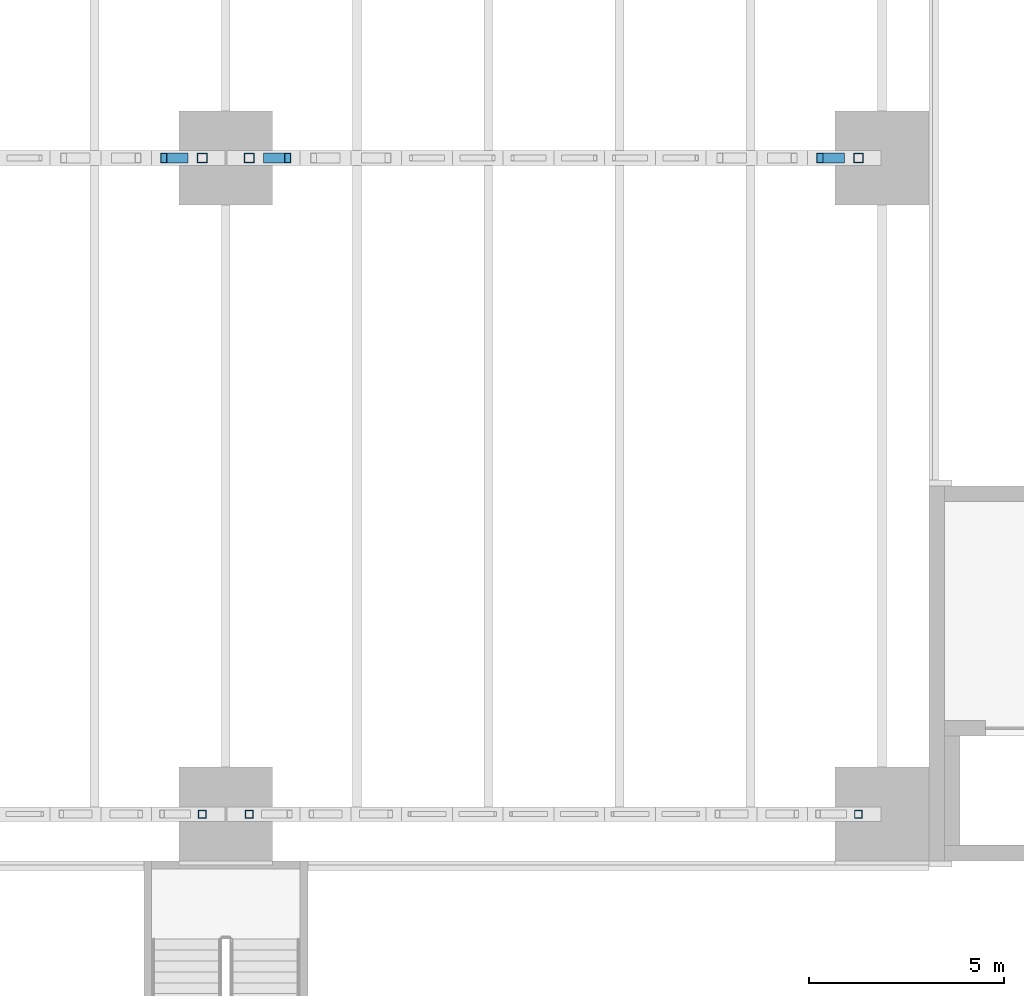
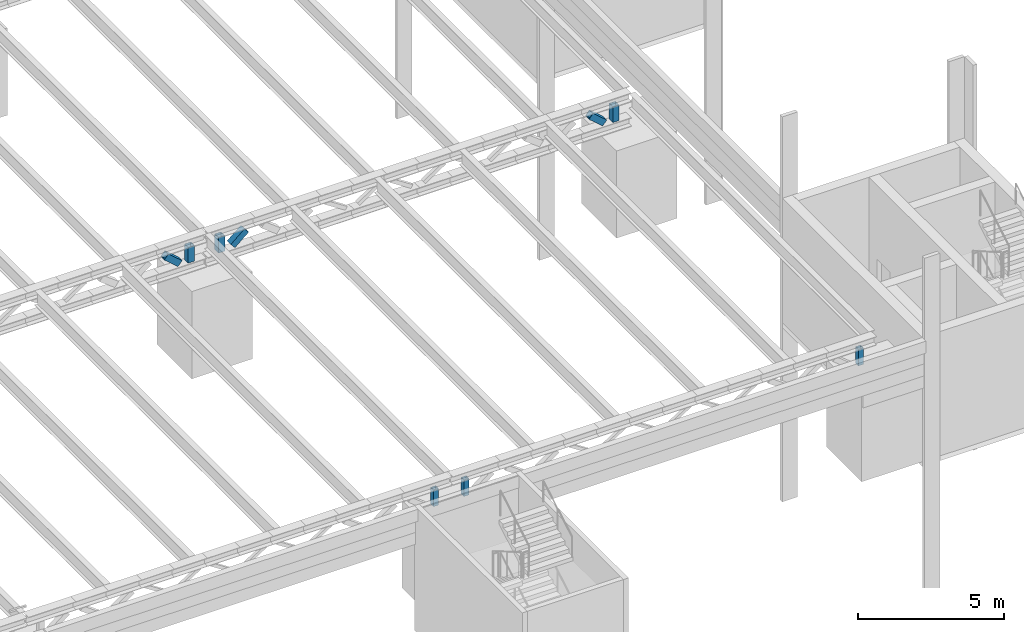
# One storey, part 47 of 93: 9 members.
"""IFC4 building model written with IfcOpenShell, lengths in metres."""

from ifc_helpers import new_model, si_unit, direction, frame, origin, origin_2d, place, context, subcontext, project, spatial, hollow_rectangle, extrude, material, material_profile, profile_set, type_object, element, save


model = new_model("IFC4")

# Units and contexts
model_context = context("Model", 3, precision=1e-05, world=origin(), true_north=direction((0.0, 1.0)))
body_context = subcontext(model_context, "Body", "Model", "MODEL_VIEW")
ifc_project = project(units=[si_unit("LENGTHUNIT", "METRE"), si_unit("AREAUNIT", "SQUARE_METRE"), si_unit("VOLUMEUNIT", "CUBIC_METRE"), si_unit("PLANEANGLEUNIT", "RADIAN"), si_unit("MASSUNIT", "GRAM", prefix="KILO")], contexts=[model_context])

# Site, building, storey
site_placement = place(None, origin())
site = spatial("IfcSite", under=ifc_project, at=site_placement, CompositionType="ELEMENT")
building_placement = place(site_placement, origin())
building = spatial("IfcBuilding", under=site, at=building_placement, Name="Verrick Yard Athletic Hall", CompositionType="ELEMENT")
storey_placement = place(building_placement, frame((0.0, 0.0, 8.800048828125)))
storey = spatial("IfcBuildingStorey", under=building, at=storey_placement, Name="L02", CompositionType="ELEMENT", Elevation=8.800048828125)

# Members
ifc_material = material(Name="Structural steel HSS Class C 350W (CSA G40.20/G40.21)", Category="steel")
ifc_material_profile_1 = material_profile(ifc_material, hollow_rectangle(XDim=0.203125, YDim=0.203125, WallThickness=0.0126953125, at=origin_2d()), Name="HSS203x203x13")
ifc_profile_set_1 = profile_set([ifc_material_profile_1], Name="Structural steel HSS Class C 350W (CSA G40.20/G40.21)")
member_type_1 = type_object("IfcMemberType", Name="STR Edge truss end post HSS203x203x13", PredefinedType="POST", material=ifc_profile_set_1)
for number, where, z_axis, x_axis, name in (
    (1, (140.199951171875, 19.199951171875, 4.005859375), (0.0, 0.0, 1.0), (1.0, 0.0, 0.0), "STR-TP-GA6-E"),
    (2, (141.39990234375, 19.199951171875, 4.005859375), (0.0, 0.0, 1.0), (1.0, 0.0, 0.0), "STR-TP-GA7-W"),
    (3, (157.0, 19.199951171875, 4.005859375), (0.0, 0.0, 1.0), (1.0, 0.0, 0.0), "STR-TP-GA7-E"),
):
    element("IfcMember", number, at=place(storey_placement, frame(where, z_axis=z_axis, x_axis=x_axis)), inside=storey, type_object=member_type_1, Name=name, PredefinedType="POST", context=body_context, shape_type="SweptSolid", body=[
        extrude(hollow_rectangle(XDim=0.203125, YDim=0.203125, WallThickness=0.0126953125, at=origin_2d()), origin(), (0.0, 0.0, 1.0), 0.68798828125),
    ])
ifc_material_profile_2 = material_profile(ifc_material, hollow_rectangle(XDim=0.25390625, YDim=0.25390625, WallThickness=0.0126953125, at=origin_2d()), Name="HSS254x254x13")
ifc_profile_set_2 = profile_set([ifc_material_profile_2], Name="Structural steel HSS Class C 350W (CSA G40.20/G40.21)")
member_type_2 = type_object("IfcMemberType", Name="STR Truss end post HSS254x254x13", PredefinedType="POST", material=ifc_profile_set_2)
for number, where, z_axis, x_axis, name in (
    (4, (140.199951171875, 36.0, 4.02197265625), (0.0, 0.0, 1.0), (1.0, 0.0, 0.0), "STR-TP-GB6-E"),
    (5, (141.39990234375, 36.0, 4.02197265625), (0.0, 0.0, 1.0), (1.0, 0.0, 0.0), "STR-TP-GB7-W"),
    (6, (157.0, 36.0, 4.02197265625), (0.0, 0.0, 1.0), (1.0, 0.0, 0.0), "STR-TP-GB7-E"),
):
    element("IfcMember", number, at=place(storey_placement, frame(where, z_axis=z_axis, x_axis=x_axis)), inside=storey, type_object=member_type_2, Name=name, PredefinedType="POST", context=body_context, shape_type="SweptSolid", body=[
        extrude(hollow_rectangle(XDim=0.25390625, YDim=0.25390625, WallThickness=0.0126953125, at=origin_2d()), origin(), (0.0, 0.0, 1.0), 0.656005859375),
    ])
ifc_material_profile_3 = material_profile(ifc_material, hollow_rectangle(XDim=0.25390625, YDim=0.25390625, WallThickness=0.0126953125, at=origin_2d()), Name="HSS254x254x13")
ifc_profile_set_3 = profile_set([ifc_material_profile_3], Name="Structural steel HSS Class C 350W (CSA G40.20/G40.21)")
member_type_3 = type_object("IfcMemberType", Name="STR Truss web HSS254x254x13", PredefinedType="BRACE", material=ifc_profile_set_3)
member_placement = place(storey_placement, frame((139.212646484375, 36.0, 4.58203125), z_axis=(0.760004219481, 0.0, -0.649918138207), x_axis=(0.0, 1.0, 0.0)))
element("IfcMember", 7, at=member_placement, inside=storey, type_object=member_type_3, Name="STR-TW-GB6-12", PredefinedType="BRACE", context=body_context, shape_type="SweptSolid", body=[
    extrude(hollow_rectangle(XDim=0.25390625, YDim=0.25390625, WallThickness=0.0126953125, at=origin_2d()), origin(), (0.0, 0.0, 1.0), 0.714111328125),
])
for number, where, z_axis, x_axis, name in (
    (8, (141.844482421875, 36.0, 4.117919921875), (0.76014857208, 0.0, 0.649749296548), (0.0, 1.0, 0.0), "STR-TW-GB7-1"),
    (9, (156.012451171875, 36.0, 4.58203125), (0.76014857208, 0.0, -0.649749296548), (0.0, 1.0, 0.0), "STR-TW-GB7-12"),
):
    element("IfcMember", number, at=place(storey_placement, frame(where, z_axis=z_axis, x_axis=x_axis)), inside=storey, type_object=member_type_3, Name=name, PredefinedType="BRACE", context=body_context, shape_type="SweptSolid", body=[
        extrude(hollow_rectangle(XDim=0.25390625, YDim=0.25390625, WallThickness=0.0126953125, at=origin_2d()), origin(), (0.0, 0.0, 1.0), 0.71435546875),
    ])

save(model, "model.ifc")
